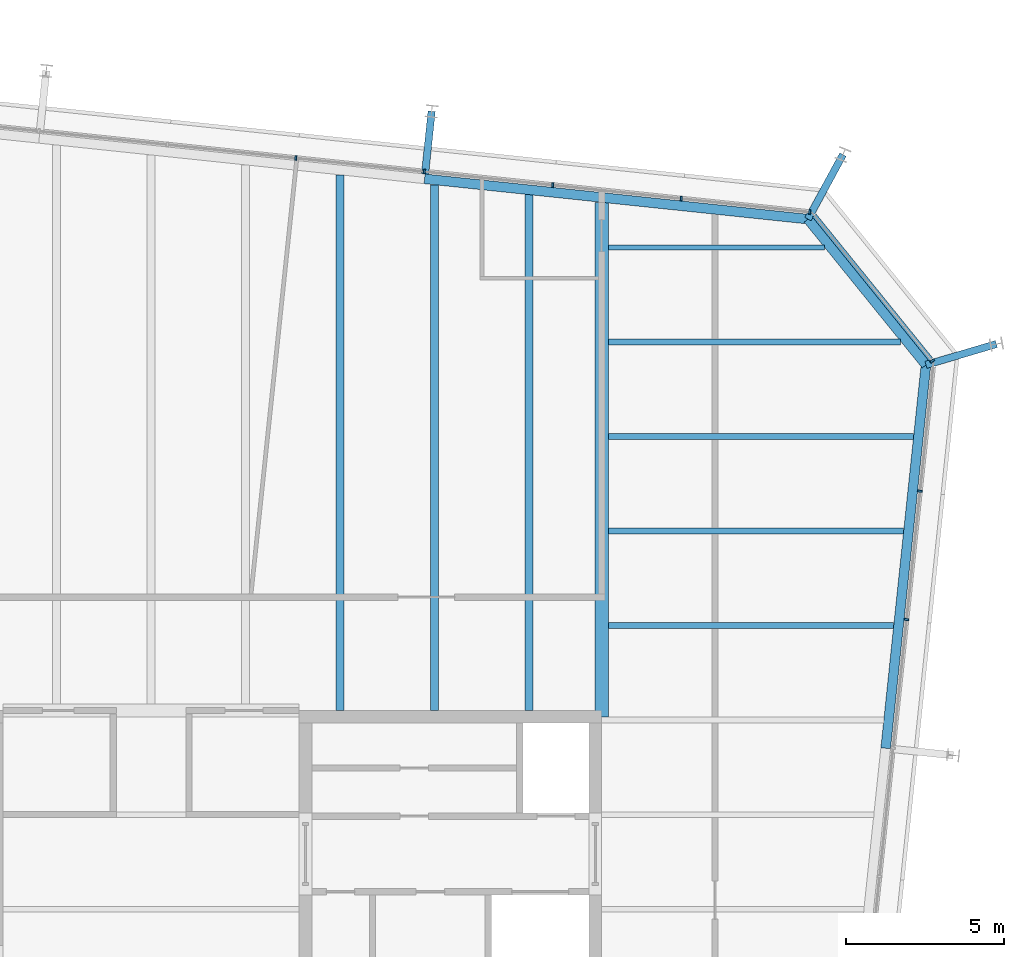
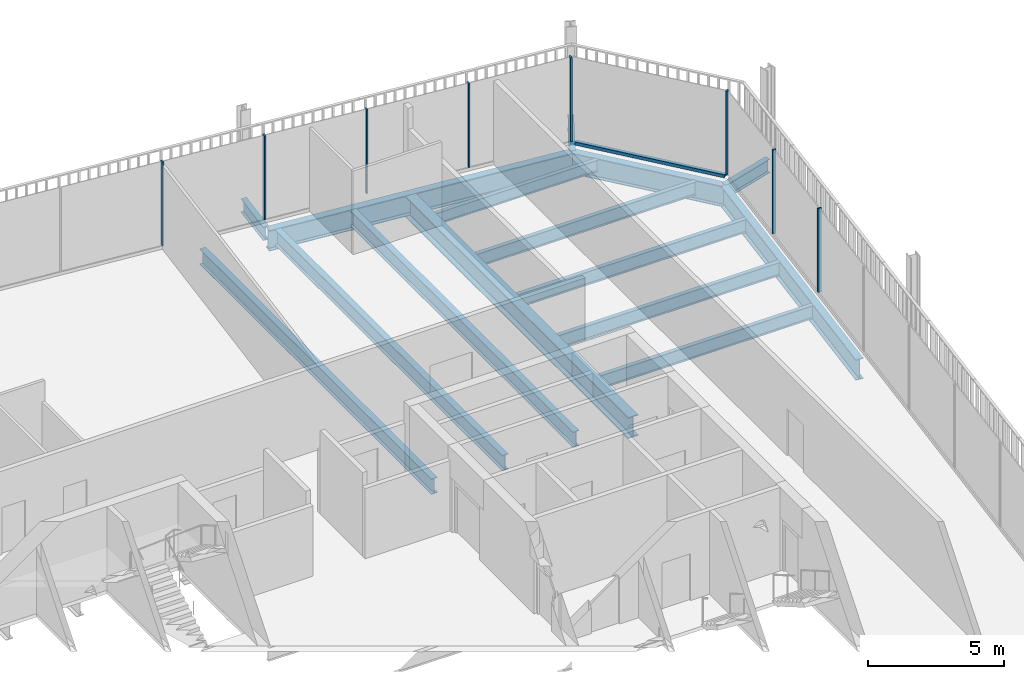
# One storey, part 14 of 20: 15 beams, 9 members, 3 elements without a shape of their own.
"""IFC4 building model written with IfcOpenShell, lengths in metres."""

from ifc_helpers import new_model, si_unit, direction, frame, origin, origin_2d, place, context, subcontext, project, spatial, rectangle, i_section, extrude, material, layer, layer_set, material_profile, profile_set, type_object, element, aggregate, save


model = new_model("IFC4")

# Units and contexts
model_context = context("Model", 3, precision=1e-05, world=origin(), true_north=direction((0.0, 1.0)))
body_context = subcontext(model_context, "Body", "Model", "MODEL_VIEW")
ifc_project = project(units=[si_unit("LENGTHUNIT", "METRE"), si_unit("AREAUNIT", "SQUARE_METRE"), si_unit("VOLUMEUNIT", "CUBIC_METRE"), si_unit("PLANEANGLEUNIT", "RADIAN"), si_unit("MASSUNIT", "GRAM", prefix="KILO")], contexts=[model_context])

# Site, building, storey
site_placement = place(None, origin())
site = spatial("IfcSite", under=ifc_project, at=site_placement, CompositionType="ELEMENT")
building_placement = place(site_placement, origin())
building = spatial("IfcBuilding", under=site, at=building_placement, Name="Millrace Tower", CompositionType="ELEMENT")
storey_placement = place(building_placement, frame((0.0, 0.0, 295.5)))
storey = spatial("IfcBuildingStorey", under=building, at=storey_placement, Name="L68", CompositionType="ELEMENT", Elevation=295.5)

# Curtain wall, members
ifc_material_1 = material(Name="Aluminium and glass", Category="aluminium")
ifc_layer = layer(ifc_material_1, 0.14990234375)
ifc_layer_set = layer_set([ifc_layer], Name="Aluminium and glass")
curtain_wall_type = type_object("IfcCurtainWallType", Name="CW-1 office vision curtain wall", PredefinedType="NOTDEFINED", material=ifc_layer_set)
placement = place(storey_placement, origin())
curtain_wall_1 = element("IfcCurtainWall", 1, at=placement, inside=storey, type_object=curtain_wall_type, Name="Curtain wall E-F04 L68", PredefinedType="NOTDEFINED")
ifc_material_2 = material(Name="Aluminium", Category="aluminium")
ifc_material_profile_1 = material_profile(ifc_material_2, rectangle(XDim=0.06494140625, YDim=0.14990234375, at=origin_2d()))
ifc_profile_set_1 = profile_set([ifc_material_profile_1], Name="Aluminium")
member_type_1 = type_object("IfcMemberType", Name="CW-1 office vision curtain wall mullion", PredefinedType="MULLION", material=ifc_profile_set_1)
member_1_placement = place(storey_placement, frame((23.974853515625, 12.1904296875, 0.139892578125), z_axis=(0.0, 0.0, 1.0), x_axis=(0.104528455196, 0.994521896217, 0.0)))
member_1 = element("IfcMember", 2, at=member_1_placement, type_object=member_type_1, Name="CW1 mullion E-F04.8", PredefinedType="MULLION", context=body_context, shape_type="SweptSolid", body=[
    extrude(rectangle(XDim=0.06494140625, YDim=0.14990234375, at=origin_2d()), origin(), (0.0, 0.0, 1.0), 3.760009765625),
])
member_2_placement = place(storey_placement, frame((24.4033203125, 16.267822265625, 0.139892578125), z_axis=(0.0, 0.0, 1.0), x_axis=(0.104528455196, 0.994521896217, 0.0)))
member_2 = element("IfcMember", 3, at=member_2_placement, type_object=member_type_1, Name="CW1 mullion E-F04.9", PredefinedType="MULLION", context=body_context, shape_type="SweptSolid", body=[
    extrude(rectangle(XDim=0.06494140625, YDim=0.14990234375, at=origin_2d()), origin(), (0.0, 0.0, 1.0), 3.760009765625),
])
aggregate(curtain_wall_1, [member_1, member_2])

# Curtain wall, member
curtain_wall_2 = element("IfcCurtainWall", 4, at=placement, inside=storey, type_object=curtain_wall_type, Name="Curtain wall E-F05 L68", PredefinedType="NOTDEFINED")
member_3_placement = place(storey_placement, frame((24.791748046875, 20.393310546875, 0.139892578125), z_axis=(0.0, 0.0, 1.0), x_axis=(-0.629320278945, 0.777146052237, 0.0)))
member_3 = element("IfcMember", 5, at=member_3_placement, type_object=member_type_1, Name="CW1 mullion E-F05.1", PredefinedType="MULLION", context=body_context, shape_type="SweptSolid", body=[
    extrude(rectangle(XDim=0.06494140625, YDim=0.14990234375, at=origin_2d()), origin(), (0.0, 0.0, 1.0), 3.760009765625),
])

# Curtain wall, members
curtain_wall_3 = element("IfcCurtainWall", 6, at=placement, inside=storey, type_object=curtain_wall_type, Name="Curtain wall E-F06 L68", PredefinedType="NOTDEFINED")
member_4_placement = place(storey_placement, frame((20.902587890625, 25.124755859375, 0.139892578125), z_axis=(0.0, 0.0, 1.0), x_axis=(-0.994521896217, 0.104528455196, 0.0)))
member_4 = element("IfcMember", 7, at=member_4_placement, type_object=member_type_1, Name="CW1 mullion E-F06.1", PredefinedType="MULLION", context=body_context, shape_type="SweptSolid", body=[
    extrude(rectangle(XDim=0.06494140625, YDim=0.14990234375, at=origin_2d()), origin(), (0.0, 0.0, 1.0), 3.760009765625),
])
member_5_placement = place(storey_placement, frame((16.824951171875, 25.553466796875, 0.139892578125), z_axis=(0.0, 0.0, 1.0), x_axis=(-0.994521896217, 0.104528455196, 0.0)))
member_5 = element("IfcMember", 8, at=member_5_placement, type_object=member_type_1, Name="CW1 mullion E-F06.2", PredefinedType="MULLION", context=body_context, shape_type="SweptSolid", body=[
    extrude(rectangle(XDim=0.06494140625, YDim=0.14990234375, at=origin_2d()), origin(), (0.0, 0.0, 1.0), 3.760009765625),
])
member_6_placement = place(storey_placement, frame((12.747314453125, 25.98193359375, 0.139892578125), z_axis=(0.0, 0.0, 1.0), x_axis=(-0.994521896217, 0.104528455196, 0.0)))
member_6 = element("IfcMember", 9, at=member_6_placement, type_object=member_type_1, Name="CW1 mullion E-F06.3", PredefinedType="MULLION", context=body_context, shape_type="SweptSolid", body=[
    extrude(rectangle(XDim=0.06494140625, YDim=0.14990234375, at=origin_2d()), origin(), (0.0, 0.0, 1.0), 3.760009765625),
])
member_7_placement = place(storey_placement, frame((8.669921875, 26.410400390625, 0.139892578125), z_axis=(0.0, 0.0, 1.0), x_axis=(-0.994521896217, 0.104528455196, 0.0)))
member_7 = element("IfcMember", 10, at=member_7_placement, type_object=member_type_1, Name="CW1 mullion E-F06.4", PredefinedType="MULLION", context=body_context, shape_type="SweptSolid", body=[
    extrude(rectangle(XDim=0.06494140625, YDim=0.14990234375, at=origin_2d()), origin(), (0.0, 0.0, 1.0), 3.760009765625),
])
member_8_placement = place(storey_placement, frame((4.59228515625, 26.839111328125, 0.139892578125), z_axis=(0.0, 0.0, 1.0), x_axis=(-0.994521896217, 0.104528455196, 0.0)))
member_8 = element("IfcMember", 11, at=member_8_placement, type_object=member_type_1, Name="CW1 mullion E-F06.5", PredefinedType="MULLION", context=body_context, shape_type="SweptSolid", body=[
    extrude(rectangle(XDim=0.06494140625, YDim=0.14990234375, at=origin_2d()), origin(), (0.0, 0.0, 1.0), 3.760009765625),
])
aggregate(curtain_wall_3, [member_4, member_5, member_6, member_7, member_8])

# Member
ifc_material_3 = material(Name="Aluminium", Category="aluminium")
ifc_material_profile_2 = material_profile(ifc_material_3, rectangle(XDim=0.14990234375, YDim=0.139892578125, at=origin_2d()))
ifc_profile_set_2 = profile_set([ifc_material_profile_2], Name="Aluminium")
member_type_2 = type_object("IfcMemberType", Name="CW-1 office vision curtain wall transom", PredefinedType="USERDEFINED", material=ifc_profile_set_2)
member_9_placement = place(storey_placement, frame((24.749267578125, 20.44580078125, 0.070068359375), z_axis=(-0.629321221277, 0.777145289151, 0.0), x_axis=(-0.777145289151, -0.629321221277, 0.0)))
member_9 = element("IfcMember", 12, at=member_9_placement, type_object=member_type_2, Name="CW1 transom E-F05.1", ObjectType="TRANSOM", PredefinedType="USERDEFINED", context=body_context, shape_type="SweptSolid", body=[
    extrude(rectangle(XDim=0.14990234375, YDim=0.139892578125, at=origin_2d()), origin(), (0.0, 0.0, 1.0), 5.881103515625),
])

aggregate(curtain_wall_2, [member_3, member_9])

# Beams
ifc_material_4 = material(Name="Steel ASTM A992 Grade 50", Category="steel")
ifc_material_profile_3 = material_profile(ifc_material_4, i_section(OverallWidth=0.1650390625, OverallDepth=0.52587890625, WebThickness=0.0087890625, FlangeThickness=0.011474609375, FilletRadius=0.0126953125, at=origin_2d()))
ifc_profile_set_3 = profile_set([ifc_material_profile_3], Name="Steel ASTM A992 Grade 50")
beam_type_1 = type_object("IfcBeamType", Name="Floor beam W21x44", PredefinedType="JOIST", material=ifc_profile_set_3)
beam_1_placement = place(storey_placement, frame((14.509521484375, 24.0, -0.4228515625), z_axis=(1.0, 0.0, 0.0), x_axis=(0.0, 1.0, 0.0)))
element("IfcBeam", 13, at=beam_1_placement, inside=storey, type_object=beam_type_1, Name="BM-E-L68-S1-S034", PredefinedType="JOIST", context=body_context, shape_type="SweptSolid", body=[
    extrude(i_section(OverallWidth=0.1650390625, OverallDepth=0.52587890625, WebThickness=0.0087890625, FlangeThickness=0.011474609375, FilletRadius=0.0126953125, at=origin_2d()), origin(), (0.0, 0.0, 1.0), 6.861572265625),
])
ifc_material_5 = material(Name="Steel ASTM A992 Grade 50", Category="steel")
ifc_material_profile_4 = material_profile(ifc_material_5, i_section(OverallWidth=0.177978515625, OverallDepth=0.599365234375, WebThickness=0.010009765625, FlangeThickness=0.012939453125, FilletRadius=0.012939453125, at=origin_2d()))
ifc_profile_set_4 = profile_set([ifc_material_profile_4], Name="Steel ASTM A992 Grade 50")
beam_type_2 = type_object("IfcBeamType", Name="Floor beam W24x55", PredefinedType="JOIST", material=ifc_profile_set_4)
beam_2_placement = place(storey_placement, frame((14.509521484375, 12.0, -0.459716796875), z_axis=(1.0, 0.0, 0.0), x_axis=(0.0, 1.0, 0.0)))
element("IfcBeam", 14, at=beam_2_placement, inside=storey, type_object=beam_type_2, Name="BM-E-L68-S1-S026", PredefinedType="JOIST", context=body_context, shape_type="SweptSolid", body=[
    extrude(i_section(OverallWidth=0.177978515625, OverallDepth=0.599365234375, WebThickness=0.010009765625, FlangeThickness=0.012939453125, FilletRadius=0.012939453125, at=origin_2d()), origin(), (0.0, 0.0, 1.0), 9.060791015625),
])
beam_3_placement = place(storey_placement, frame((14.509521484375, 15.0, -0.459716796875), z_axis=(1.0, 0.0, 0.0), x_axis=(0.0, 1.0, 0.0)))
element("IfcBeam", 15, at=beam_3_placement, inside=storey, type_object=beam_type_2, Name="BM-E-L68-S1-S028", PredefinedType="JOIST", context=body_context, shape_type="SweptSolid", body=[
    extrude(i_section(OverallWidth=0.177978515625, OverallDepth=0.599365234375, WebThickness=0.010009765625, FlangeThickness=0.012939453125, FilletRadius=0.012939453125, at=origin_2d()), origin(), (0.0, 0.0, 1.0), 9.376220703125),
])
beam_4_placement = place(storey_placement, frame((14.509521484375, 18.0, -0.459716796875), z_axis=(1.0, 0.0, 0.0), x_axis=(0.0, 1.0, 0.0)))
element("IfcBeam", 16, at=beam_4_placement, inside=storey, type_object=beam_type_2, Name="BM-E-L68-S1-S030", PredefinedType="JOIST", context=body_context, shape_type="SweptSolid", body=[
    extrude(i_section(OverallWidth=0.177978515625, OverallDepth=0.599365234375, WebThickness=0.010009765625, FlangeThickness=0.012939453125, FilletRadius=0.012939453125, at=origin_2d()), origin(), (0.0, 0.0, 1.0), 9.69140625),
])
beam_5_placement = place(storey_placement, frame((14.509521484375, 21.0, -0.459716796875), z_axis=(1.0, 0.0, 0.0), x_axis=(0.0, 1.0, 0.0)))
element("IfcBeam", 17, at=beam_5_placement, inside=storey, type_object=beam_type_2, Name="BM-E-L68-S1-S032", PredefinedType="JOIST", context=body_context, shape_type="SweptSolid", body=[
    extrude(i_section(OverallWidth=0.177978515625, OverallDepth=0.599365234375, WebThickness=0.010009765625, FlangeThickness=0.012939453125, FilletRadius=0.012939453125, at=origin_2d()), origin(), (0.0, 0.0, 1.0), 9.282958984375),
])
ifc_material_6 = material(Name="Steel ASTM A992 Grade 50", Category="steel")
ifc_material_profile_5 = material_profile(ifc_material_6, i_section(OverallWidth=0.256591796875, OverallDepth=0.693359375, WebThickness=0.014404296875, FlangeThickness=0.023681640625, FilletRadius=0.01513671875, at=origin_2d()))
ifc_profile_set_5 = profile_set([ifc_material_profile_5], Name="Steel ASTM A992 Grade 50")
beam_type_3 = type_object("IfcBeamType", Name="Floor beam W27x114", PredefinedType="JOIST", material=ifc_profile_set_5)
beam_6_placement = place(storey_placement, frame((6.0, 9.300048828125, -0.506591796875), z_axis=(0.0, 1.0, 0.0), x_axis=(-1.0, 0.0, 0.0)))
element("IfcBeam", 18, at=beam_6_placement, inside=storey, type_object=beam_type_3, Name="BM-E-L68-S1-S048", PredefinedType="JOIST", context=body_context, shape_type="SweptSolid", body=[
    extrude(i_section(OverallWidth=0.256591796875, OverallDepth=0.693359375, WebThickness=0.014404296875, FlangeThickness=0.023681640625, FilletRadius=0.01513671875, at=origin_2d()), origin(), (0.0, 0.0, 1.0), 17.006591796875),
])
beam_7_placement = place(storey_placement, frame((9.0, 9.300048828125, -0.506591796875), z_axis=(0.0, 1.0, 0.0), x_axis=(-1.0, 0.0, 0.0)))
element("IfcBeam", 19, at=beam_7_placement, inside=storey, type_object=beam_type_3, Name="BM-E-L68-S1-S050", PredefinedType="JOIST", context=body_context, shape_type="SweptSolid", body=[
    extrude(i_section(OverallWidth=0.256591796875, OverallDepth=0.693359375, WebThickness=0.014404296875, FlangeThickness=0.023681640625, FilletRadius=0.01513671875, at=origin_2d()), origin(), (0.0, 0.0, 1.0), 16.69140625),
])
beam_8_placement = place(storey_placement, frame((12.0, 9.300048828125, -0.506591796875), z_axis=(0.0, 1.0, 0.0), x_axis=(-1.0, 0.0, 0.0)))
element("IfcBeam", 20, at=beam_8_placement, inside=storey, type_object=beam_type_3, Name="BM-E-L68-S1-S052", PredefinedType="JOIST", context=body_context, shape_type="SweptSolid", body=[
    extrude(i_section(OverallWidth=0.256591796875, OverallDepth=0.693359375, WebThickness=0.014404296875, FlangeThickness=0.023681640625, FilletRadius=0.01513671875, at=origin_2d()), origin(), (0.0, 0.0, 1.0), 16.3759765625),
])
ifc_material_7 = material(Name="Steel ASTM A992 Grade 50", Category="steel")
ifc_material_profile_6 = material_profile(ifc_material_7, i_section(OverallWidth=0.424072265625, OverallDepth=0.947509765625, WebThickness=0.02392578125, FlangeThickness=0.042724609375, FilletRadius=0.024169921875, at=origin_2d()))
ifc_profile_set_6 = profile_set([ifc_material_profile_6], Name="Steel ASTM A992 Grade 50")
beam_type_4 = type_object("IfcBeamType", Name="Girder medium span W36x302", PredefinedType="BEAM", material=ifc_profile_set_6)
beam_9_placement = place(storey_placement, frame((14.300048828125, 9.092041015625, -0.6337890625), z_axis=(0.0, 1.0, 0.0), x_axis=(-1.0, 0.0, 0.0)))
element("IfcBeam", 21, at=beam_9_placement, inside=storey, type_object=beam_type_4, Name="BM-E-L68-S1-G056", PredefinedType="BEAM", context=body_context, shape_type="SweptSolid", body=[
    extrude(i_section(OverallWidth=0.424072265625, OverallDepth=0.947509765625, WebThickness=0.02392578125, FlangeThickness=0.042724609375, FilletRadius=0.024169921875, at=origin_2d()), origin(), (0.0, 0.0, 1.0), 16.34228515625),
])
ifc_material_8 = material(Name="Steel ASTM A992 Grade 50", Category="steel")
ifc_material_profile_7 = material_profile(ifc_material_8, i_section(OverallWidth=0.23046875, OverallDepth=0.6171875, WebThickness=0.01318359375, FlangeThickness=0.022216796875, FilletRadius=0.012939453125, at=origin_2d()))
ifc_profile_set_7 = profile_set([ifc_material_profile_7], Name="Steel ASTM A992 Grade 50")
beam_type_5 = type_object("IfcBeamType", Name="Link beam W24x94", PredefinedType="BEAM", material=ifc_profile_set_7)
beam_10_placement = place(storey_placement, frame((8.6943359375, 26.33251953125, -0.468505859375), z_axis=(0.104494148666, 0.99452550138, 0.0), x_axis=(-0.99452550138, 0.104494148666, 0.0)))
element("IfcBeam", 22, at=beam_10_placement, inside=storey, type_object=beam_type_5, Name="LNK-E-L68-S1-07", PredefinedType="BEAM", context=body_context, shape_type="SweptSolid", body=[
    extrude(i_section(OverallWidth=0.23046875, OverallDepth=0.6171875, WebThickness=0.01318359375, FlangeThickness=0.022216796875, FilletRadius=0.012939453125, at=origin_2d()), origin(), (0.0, 0.0, 1.0), 2.0),
])
for number, where, z_axis, x_axis, name in (
    (23, (20.84765625, 24.900634765625, -0.468505859375), (0.477163510307, 0.87881453358, 0.0), (-0.87881453358, 0.477163510307, 0.0), "LNK-E-L68-S1-08"),
    (24, (24.594482421875, 20.273681640625, -0.468505859375), (0.958815015936, 0.284031275065, 0.0), (-0.284031275065, 0.958815015936, 0.0), "LNK-E-L68-S1-09"),
):
    element("IfcBeam", number, at=place(storey_placement, frame(where, z_axis=z_axis, x_axis=x_axis)), inside=storey, type_object=beam_type_5, Name=name, PredefinedType="BEAM", context=body_context, shape_type="SweptSolid", body=[
        extrude(i_section(OverallWidth=0.23046875, OverallDepth=0.6171875, WebThickness=0.01318359375, FlangeThickness=0.022216796875, FilletRadius=0.012939453125, at=origin_2d()), origin(), (0.0, 0.0, 1.0), 2.3310546875),
    ])
ifc_material_9 = material(Name="Steel ASTM A992 Grade 50", Category="steel")
ifc_material_profile_8 = material_profile(ifc_material_9, i_section(OverallWidth=0.307373046875, OverallDepth=0.927001953125, WebThickness=0.01953125, FlangeThickness=0.031982421875, FilletRadius=0.01904296875, at=origin_2d()))
ifc_profile_set_8 = profile_set([ifc_material_profile_8], Name="Steel ASTM A992 Grade 50")
beam_type_6 = type_object("IfcBeamType", Name="Ring beam medium span W36x194", PredefinedType="SPANDREL", material=ifc_profile_set_8)
for number, where, z_axis, x_axis, name in (
    (25, (8.67822265625, 26.1796875, -0.62353515625), (0.994521948696, -0.104527955888, 0.0), (0.104527955888, 0.994521948696, 0.0), "RNG-E-L68-S1-07"),
    (26, (24.594482421875, 20.273681640625, -0.62353515625), (-0.104527955888, -0.994521948696, 0.0), (0.994521948696, -0.104527955888, 0.0), "RNG-E-L68-S1-09"),
):
    element("IfcBeam", number, at=place(storey_placement, frame(where, z_axis=z_axis, x_axis=x_axis)), inside=storey, type_object=beam_type_6, Name=name, PredefinedType="SPANDREL", context=body_context, shape_type="SweptSolid", body=[
        extrude(i_section(OverallWidth=0.307373046875, OverallDepth=0.927001953125, WebThickness=0.01953125, FlangeThickness=0.031982421875, FilletRadius=0.01904296875, at=origin_2d()), origin(), (0.0, 0.0, 1.0), 12.236572265625),
    ])
ifc_material_10 = material(Name="Steel ASTM A992 Grade 50", Category="steel")
ifc_material_profile_9 = material_profile(ifc_material_10, i_section(OverallWidth=0.307373046875, OverallDepth=0.927001953125, WebThickness=0.01953125, FlangeThickness=0.031982421875, FilletRadius=0.01904296875, at=origin_2d()))
ifc_profile_set_9 = profile_set([ifc_material_profile_9], Name="Steel ASTM A992 Grade 50")
beam_type_7 = type_object("IfcBeamType", Name="Ring beam short span W36x194", PredefinedType="SPANDREL", material=ifc_profile_set_9)
beam_11_placement = place(storey_placement, frame((20.84765625, 24.900634765625, -0.62353515625), z_axis=(0.629319722443, -0.777146502883, 0.0), x_axis=(0.777146502883, 0.629319722443, 0.0)))
element("IfcBeam", 27, at=beam_11_placement, inside=storey, type_object=beam_type_7, Name="RNG-E-L68-S1-08", PredefinedType="SPANDREL", context=body_context, shape_type="SweptSolid", body=[
    extrude(i_section(OverallWidth=0.307373046875, OverallDepth=0.927001953125, WebThickness=0.01953125, FlangeThickness=0.031982421875, FilletRadius=0.01904296875, at=origin_2d()), origin(), (0.0, 0.0, 1.0), 5.953857421875),
])

save(model, "model.ifc")
